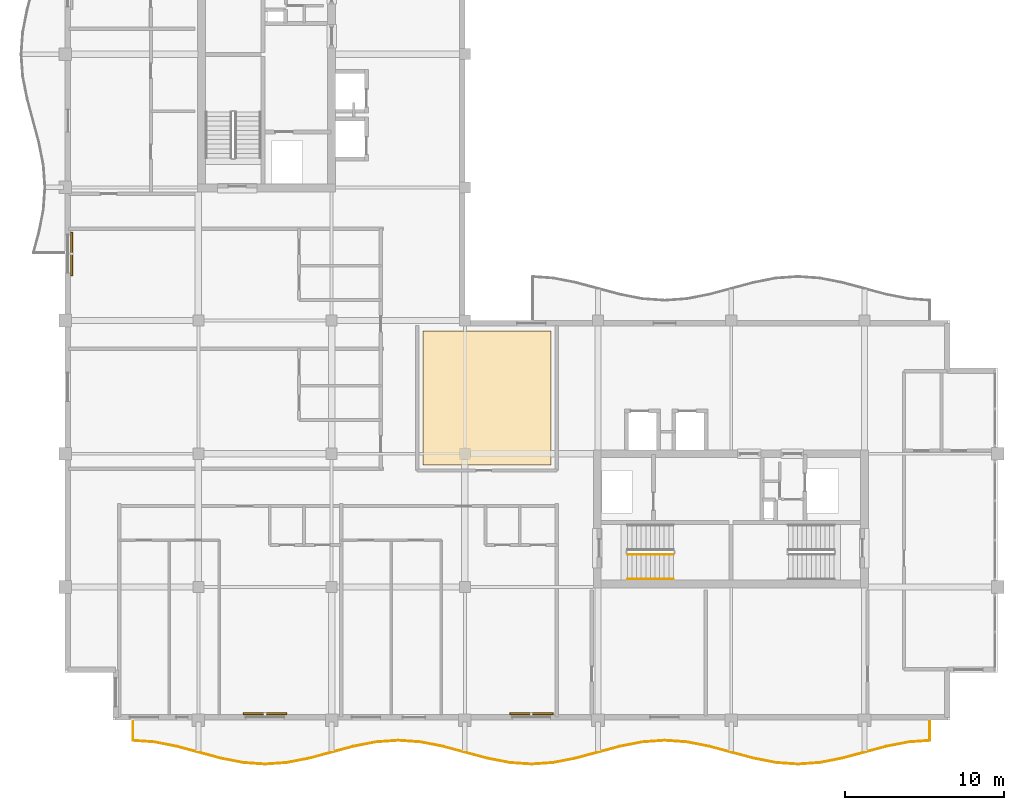
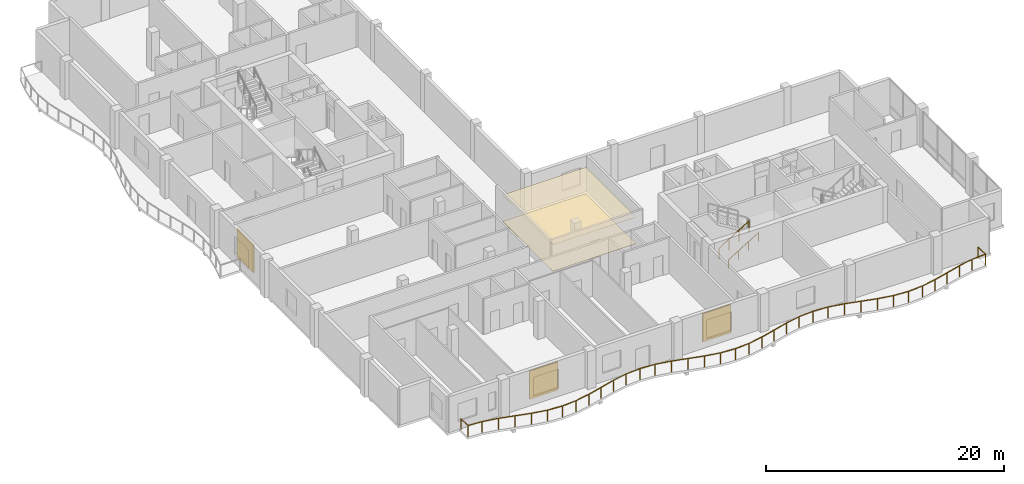
# One storey, part 13 of 15: 3 railings, 3 shading devices, 2 coverings.
"""IFC4 building model written with IfcOpenShell, lengths in metres."""

import ifcopenshell
import ifcopenshell.guid

model = None  # the IFC model being written
_history = None  # IfcOwnerHistory: only IFC2X3 demands one
_inside = {}  # id of a spatial element -> (the spatial element, [elements in it])
_under = {}  # id of a project, library or spatial element -> (it, [spatial elements below it])
_declared = {}  # id of a project -> (the project, [libraries it declares])
_typed = {}  # id of a type object -> (the type object, [elements of that type])
_made_of = {}  # id of a material, layer set ... -> (it, [elements and type objects made of it])


def new_model(schema):
    """Start an empty IFC model of exactly this schema.

    Asked for "IFC4X3", IfcOpenShell would pick the latest addendum, in which some entities
    have other attributes; the version numbers below select the first issue.
    IFC2X3 requires an IfcOwnerHistory on every rooted entity: one is made here for all.
    """
    global model, _history
    if schema == "IFC4X3":
        model = ifcopenshell.file(schema_version=(4, 3, 0, 0))
    else:
        model = ifcopenshell.file(schema=schema)
    _inside.clear()
    _under.clear()
    _declared.clear()
    _typed.clear()
    _made_of.clear()
    _history = None
    if model.schema == "IFC2X3":
        org = make("IfcOrganization", Name="unknown")
        user = make(
            "IfcPersonAndOrganization",
            ThePerson=make("IfcPerson", FamilyName="unknown"),
            TheOrganization=org,
        )
        app = make(
            "IfcApplication",
            ApplicationDeveloper=org,
            Version="unknown",
            ApplicationFullName="unknown",
            ApplicationIdentifier="unknown",
        )
        _history = make(
            "IfcOwnerHistory",
            OwningUser=user,
            OwningApplication=app,
            ChangeAction="ADDED",
            CreationDate=0,
        )
    return model


def make(cls, **values):
    """One entity of the class cls with the attributes given. An attribute that is None is left unset."""
    return model.create_entity(
        cls, **{name: value for name, value in values.items() if value is not None}
    )


def rooted(cls, **values):
    """An entity with a GlobalId (a new one), such as an element, a storey or a relation."""
    return make(cls, GlobalId=ifcopenshell.guid.new(), OwnerHistory=_history, **values)


def si_unit(unit_type, name, prefix=None):
    """IfcSIUnit, for example si_unit("LENGTHUNIT", "METRE", prefix="MILLI")."""
    return make("IfcSIUnit", UnitType=unit_type, Prefix=prefix, Name=name)


def assignment(units):
    """IfcUnitAssignment: the units of a project."""
    return None if units is None else make("IfcUnitAssignment", Units=units)


def point(xyz):
    """IfcCartesianPoint."""
    return None if xyz is None else make("IfcCartesianPoint", Coordinates=xyz)


def direction(xyz):
    """IfcDirection."""
    return None if xyz is None else make("IfcDirection", DirectionRatios=xyz)


def frame(location, z_axis=None, x_axis=None):
    """IfcAxis2Placement3D, a coordinate frame: its origin and axes. An axis left out is left unset."""
    return make(
        "IfcAxis2Placement3D",
        Location=point(location),
        Axis=direction(z_axis),
        RefDirection=direction(x_axis),
    )


def frame_2d(location, x_axis=None):
    """IfcAxis2Placement2D, a coordinate frame in the plane: its origin and x axis."""
    return make(
        "IfcAxis2Placement2D", Location=point(location), RefDirection=direction(x_axis)
    )


def origin():
    """The frame at (0, 0, 0) with its axes left unset."""
    return frame((0.0, 0.0, 0.0))


def origin_2d():
    """The frame at (0, 0) in the plane with its x axis left unset."""
    return frame_2d((0.0, 0.0))


def place(relative_to, where):
    """IfcLocalPlacement: puts the frame where relative to a parent placement (None: the world)."""
    return make(
        "IfcLocalPlacement", PlacementRelTo=relative_to, RelativePlacement=where
    )


def context(
    kind, dimensions, precision=None, world=None, true_north=None, identifier=None
):
    """IfcGeometricRepresentationContext, for example the 3D "Model" context."""
    return make(
        "IfcGeometricRepresentationContext",
        ContextIdentifier=identifier,
        ContextType=kind,
        CoordinateSpaceDimension=dimensions,
        Precision=precision,
        WorldCoordinateSystem=world,
        TrueNorth=true_north,
    )


def subcontext(parent, identifier, kind, view, scale=None):
    """IfcGeometricRepresentationSubContext, for example "Body" below "Model"."""
    return make(
        "IfcGeometricRepresentationSubContext",
        ContextIdentifier=identifier,
        ContextType=kind,
        ParentContext=parent,
        TargetScale=scale,
        TargetView=view,
    )


def project(units=None, contexts=None):
    """IfcProject with its units and contexts."""
    return rooted(
        "IfcProject",
        Name="project",
        RepresentationContexts=contexts,
        UnitsInContext=assignment(units),
    )


def spatial(cls, under=None, at=None, **own):
    """A site, building, storey or space (cls), placed at a placement, below another one or the project."""
    s = rooted(cls, ObjectPlacement=at, **own)
    if under is not None:
        _under.setdefault(under.id(), (under, []))[1].append(s)
    return s


def polyline(points):
    """IfcPolyline through the points."""
    return make("IfcPolyline", Points=[point(p) for p in points])


def profile(cls, at=None, kind="AREA", **sizes):
    """A parametric profile (cls). Its sizes go by their IFC names, for example OverallWidth=200.0."""
    return make(cls, ProfileType=kind, Position=at, **sizes)


def rectangle(**sizes):
    """IfcRectangleProfileDef."""
    return profile("IfcRectangleProfileDef", **sizes)


def circle(**sizes):
    """IfcCircleProfileDef."""
    return profile("IfcCircleProfileDef", **sizes)


def outline(outer, holes=None, kind="AREA"):
    """IfcArbitraryClosedProfileDef: a profile drawn as a closed curve; with holes, ...WithVoids."""
    if holes is None:
        return make("IfcArbitraryClosedProfileDef", ProfileType=kind, OuterCurve=outer)
    return make(
        "IfcArbitraryProfileDefWithVoids",
        ProfileType=kind,
        OuterCurve=outer,
        InnerCurves=holes,
    )


def extrude(swept, where, along, depth):
    """IfcExtrudedAreaSolid: the profile swept, set in the frame where, extruded along a direction by depth."""
    return make(
        "IfcExtrudedAreaSolid",
        SweptArea=swept,
        Position=where,
        ExtrudedDirection=direction(along),
        Depth=depth,
    )


def shape(context_of_items, identifier, shape_type, items):
    """IfcShapeRepresentation: the items that make up one representation, for example the "Body"."""
    return make(
        "IfcShapeRepresentation",
        ContextOfItems=context_of_items,
        RepresentationIdentifier=identifier,
        RepresentationType=shape_type,
        Items=items,
    )


def material(Name=None, Category=None):
    """IfcMaterial."""
    return make("IfcMaterial", Name=Name, Category=Category)


def layer(
    of_material, thickness, ventilated=None, Name=None, Category=None, Priority=None
):
    """IfcMaterialLayer: one layer of a wall or slab, of a material (None: an air gap)."""
    return make(
        "IfcMaterialLayer",
        Material=of_material,
        LayerThickness=thickness,
        IsVentilated=ventilated,
        Name=Name,
        Category=Category,
        Priority=Priority,
    )


def layer_set(layers, Name=None):
    """IfcMaterialLayerSet."""
    return make("IfcMaterialLayerSet", MaterialLayers=layers, LayerSetName=Name)


def made_of(thing, what):
    """Note that an element or type object is made of a material, layer set ...; save() writes the relation."""
    if what is not None:
        _made_of.setdefault(what.id(), (what, []))[1].append(thing)
    return thing


def type_object(cls, material=None, **own):
    """A type object (cls), such as IfcWallType, which elements share."""
    return made_of(rooted(cls, **own), material)


def element(
    cls,
    number,
    at=None,
    inside=None,
    cuts=None,
    type_object=None,
    material=None,
    context=None,
    identifier="Body",
    shape_type=None,
    held_by="IfcProductDefinitionShape",
    body=None,
    shapes=None,
    **own,
):
    """One element of the class cls, such as IfcWall. Its Tag is "e" and its number.

    at: its placement. inside: the storey or other place that contains it. cuts: it is an
    opening in that element (IfcRelVoidsElement). A single representation is given by context,
    identifier, shape_type and body (its items); several are given by shapes. held_by: the class
    of the entity that holds the representations. save() writes the other relations.
    """
    e = rooted(cls, Tag="e%d" % number, ObjectPlacement=at, **own)
    if body is not None:
        shapes = [shape(context, identifier, shape_type, body)]
    if shapes is not None:
        e.Representation = make(held_by, Representations=shapes)
    if inside is not None:
        _inside.setdefault(inside.id(), (inside, []))[1].append(e)
    if cuts is not None:
        rooted(
            "IfcRelVoidsElement", RelatingBuildingElement=cuts, RelatedOpeningElement=e
        )
    if type_object is not None:
        _typed.setdefault(type_object.id(), (type_object, []))[1].append(e)
    return made_of(e, material)


def aggregate(whole, parts):
    """IfcRelAggregates: a whole, such as a stair, and the parts it consists of."""
    return rooted("IfcRelAggregates", RelatingObject=whole, RelatedObjects=parts)


def save(model, path):
    """Write the relations noted so far, then the file.

    IfcRelAggregates (storeys below a building ...), IfcRelContainedInSpatialStructure (elements
    in a storey), IfcRelDefinesByType, IfcRelAssociatesMaterial and IfcRelDeclares: one each for
    every whole, place, type object, material and project.
    """
    for whole, parts in _under.values():
        aggregate(whole, parts)
    for where, things in _inside.values():
        rooted(
            "IfcRelContainedInSpatialStructure",
            RelatedElements=things,
            RelatingStructure=where,
        )
    for kind, things in _typed.values():
        rooted("IfcRelDefinesByType", RelatedObjects=things, RelatingType=kind)
    for what, things in _made_of.values():
        rooted("IfcRelAssociatesMaterial", RelatedObjects=things, RelatingMaterial=what)
    for by, libraries in _declared.values():
        rooted("IfcRelDeclares", RelatingContext=by, RelatedDefinitions=libraries)
    model.write(path)


model = new_model("IFC4")

# Units and contexts
model_context = context("Model", 3, precision=1e-05, world=origin(), true_north=direction((0.0, 1.0)))
body_context = subcontext(model_context, "Body", "Model", "MODEL_VIEW")
ifc_project = project(units=[si_unit("LENGTHUNIT", "METRE"), si_unit("AREAUNIT", "SQUARE_METRE"), si_unit("VOLUMEUNIT", "CUBIC_METRE"), si_unit("PLANEANGLEUNIT", "RADIAN"), si_unit("MASSUNIT", "GRAM", prefix="KILO")], contexts=[model_context])

# Site, building, storey
site_placement = place(None, origin())
site = spatial("IfcSite", under=ifc_project, at=site_placement, CompositionType="ELEMENT")
building_placement = place(site_placement, origin())
building = spatial("IfcBuilding", under=site, at=building_placement, Name="Koriwani Terraces Tower", CompositionType="ELEMENT")
storey_placement = place(building_placement, frame((0.0, 0.0, 324.199951171875)))
storey = spatial("IfcBuildingStorey", under=building, at=storey_placement, Name="L80", CompositionType="ELEMENT", Elevation=324.199951171875)

# Coverings
ifc_material_1 = material(Name="Fire-Rated Acoustic Gypsum Partition", Category="masonry")
ifc_layer_1 = layer(ifc_material_1, 0.02490234375, Name="Fire-Rated Acoustic Gypsum Partition")
ifc_layer_set_1 = layer_set([ifc_layer_1], Name="Fire-Rated Acoustic Gypsum Partition")
covering_type_1 = type_object("IfcCoveringType", Name="CEILING_ACOUSTIC_GYPSUM", PredefinedType="CEILING", material=ifc_layer_set_1)
covering_1_placement = place(storey_placement, frame((0.0, 0.0, 2.72509765625)))
element("IfcCovering", 1, at=covering_1_placement, inside=storey, type_object=covering_type_1, Name="L80 Suspended Acoustic Gypsum Ceiling", PredefinedType="CEILING", context=body_context, shape_type="SweptSolid", body=[
    extrude(outline(polyline([(30.949951171875, 24.5), (30.949951171875, 32.949951171875), (39.050048828125, 32.949951171875), (39.050048828125, 24.5), (30.949951171875, 24.5)])), origin(), (0.0, 0.0, 1.0), 0.02490234375),
])
ifc_material_2 = material(Name="Polished Andean Slate Flooring", Category="masonry")
ifc_layer_2 = layer(ifc_material_2, 0.030029296875, Name="Polished Andean Slate Flooring")
ifc_layer_set_2 = layer_set([ifc_layer_2], Name="Polished Andean Slate Flooring")
covering_type_2 = type_object("IfcCoveringType", Name="FLOORING_ANDEAN_STONE", PredefinedType="FLOORING", material=ifc_layer_set_2)
covering_2_placement = place(storey_placement, origin())
element("IfcCovering", 2, at=covering_2_placement, inside=storey, type_object=covering_type_2, Name="L80 Polished Andean Slate Floor Finish", PredefinedType="FLOORING", context=body_context, shape_type="SweptSolid", body=[
    extrude(outline(polyline([(30.949951171875, 24.5), (30.949951171875, 32.949951171875), (39.050048828125, 32.949951171875), (39.050048828125, 24.5), (30.949951171875, 24.5)])), origin(), (0.0, 0.0, 1.0), 0.030029296875),
])

# Railings
ifc_material_3 = material(Name="Steel ASTM A572 Grade 50", Category="steel")
railing_type_1 = type_object("IfcRailingType", Name="GUARD_BALUSTRADE_1150", PredefinedType="BALUSTRADE", material=ifc_material_3)
railing_1_placement = place(storey_placement, frame((12.679931640625, 8.320068359375, 0.0)))
element("IfcRailing", 3, at=railing_1_placement, inside=storey, type_object=railing_type_1, Name="L80 Balcony Perimeter Safety Balustrade (S)", PredefinedType="BALUSTRADE", context=body_context, shape_type="SweptSolid", body=[
    extrude(circle(Radius=0.02392578125, at=origin_2d()), frame((0.0, 0.0, 1.1259765625), z_axis=(0.0, -1.0, 0.0), x_axis=(1.0, 0.0, 0.0)), (0.0, 0.0, 1.0), 1.195556640625),
    extrude(circle(Radius=0.02392578125, at=origin_2d()), frame((0.0, -1.195556640625, 1.1259765625), z_axis=(0.997410163072, -0.071923338365, 0.0), x_axis=(0.071923338365, 0.997410163072, 0.0)), (0.0, 0.0, 1.0), 1.333984375),
    extrude(circle(Radius=0.02392578125, at=origin_2d()), frame((1.33056640625, -1.29150390625, 1.1259765625), z_axis=(0.981358469957, -0.192186246762, 0.0), x_axis=(0.192186246762, 0.981358469957, 0.0)), (0.0, 0.0, 1.0), 1.434326171875),
    extrude(circle(Radius=0.02392578125, at=origin_2d()), frame((2.738037109375, -1.567138671875, 1.1259765625), z_axis=(0.96594917914, -0.258731875344, 0.0), x_axis=(0.258731875344, 0.96594917914, 0.0)), (0.0, 0.0, 1.0), 2.898681640625),
    extrude(circle(Radius=0.02392578125, at=origin_2d()), frame((5.5380859375, -2.317138671875, 1.1259765625), z_axis=(0.981327760125, -0.192342993657, 0.0), x_axis=(0.192342993657, 0.981327760125, 0.0)), (0.0, 0.0, 1.0), 1.419189453125),
    extrude(circle(Radius=0.02392578125, at=origin_2d()), frame((6.9306640625, -2.590087890625, 1.1259765625), z_axis=(0.997427466293, -0.07168297904, 0.0), x_axis=(0.07168297904, 0.997427466293, 0.0)), (0.0, 0.0, 1.0), 1.39306640625),
    extrude(circle(Radius=0.02392578125, at=origin_2d()), frame((8.320068359375, -2.68994140625, 1.1259765625), z_axis=(0.997427466293, 0.07168297904, 0.0), x_axis=(-0.07168297904, 0.997427466293, 0.0)), (0.0, 0.0, 1.0), 1.39306640625),
    extrude(circle(Radius=0.02392578125, at=origin_2d()), frame((9.70947265625, -2.590087890625, 1.1259765625), z_axis=(0.981327760125, 0.192342993657, 0.0), x_axis=(-0.192342993657, 0.981327760125, 0.0)), (0.0, 0.0, 1.0), 1.419189453125),
    extrude(circle(Radius=0.02392578125, at=origin_2d()), frame((11.10205078125, -2.317138671875, 1.1259765625), z_axis=(0.96594917914, 0.258731875344, 0.0), x_axis=(-0.258731875344, 0.96594917914, 0.0)), (0.0, 0.0, 1.0), 2.898681640625),
    extrude(circle(Radius=0.02392578125, at=origin_2d()), frame((13.902099609375, -1.567138671875, 1.1259765625), z_axis=(0.981358469957, 0.192186246762, 0.0), x_axis=(-0.192186246762, 0.981358469957, 0.0)), (0.0, 0.0, 1.0), 1.434326171875),
    extrude(circle(Radius=0.02392578125, at=origin_2d()), frame((15.3095703125, -1.29150390625, 1.1259765625), z_axis=(0.997429695692, 0.071651951482, 0.0), x_axis=(-0.071651951482, 0.997429695692, 0.0)), (0.0, 0.0, 1.0), 1.4140625),
    extrude(circle(Radius=0.02392578125, at=origin_2d()), frame((16.719970703125, -1.190185546875, 1.1259765625), z_axis=(0.997430581876, -0.071639614309, 0.0), x_axis=(0.071639614309, 0.997430581876, 0.0)), (0.0, 0.0, 1.0), 1.414306640625),
    extrude(circle(Radius=0.02392578125, at=origin_2d()), frame((18.130615234375, -1.29150390625, 1.1259765625), z_axis=(0.981358469957, -0.192186246762, 0.0), x_axis=(0.192186246762, 0.981358469957, 0.0)), (0.0, 0.0, 1.0), 1.434326171875),
    extrude(circle(Radius=0.02392578125, at=origin_2d()), frame((19.5380859375, -1.567138671875, 1.1259765625), z_axis=(0.96594917914, -0.258731875344, 0.0), x_axis=(0.258731875344, 0.96594917914, 0.0)), (0.0, 0.0, 1.0), 2.898681640625),
    extrude(circle(Radius=0.02392578125, at=origin_2d()), frame((22.338134765625, -2.317138671875, 1.1259765625), z_axis=(0.981327760125, -0.192342993657, 0.0), x_axis=(0.192342993657, 0.981327760125, 0.0)), (0.0, 0.0, 1.0), 1.419189453125),
    extrude(circle(Radius=0.02392578125, at=origin_2d()), frame((23.730712890625, -2.590087890625, 1.1259765625), z_axis=(0.997427466293, -0.07168297904, 0.0), x_axis=(0.07168297904, 0.997427466293, 0.0)), (0.0, 0.0, 1.0), 1.39306640625),
    extrude(circle(Radius=0.02392578125, at=origin_2d()), frame((25.1201171875, -2.68994140625, 1.1259765625), z_axis=(0.997427466293, 0.07168297904, 0.0), x_axis=(-0.07168297904, 0.997427466293, 0.0)), (0.0, 0.0, 1.0), 1.39306640625),
    extrude(circle(Radius=0.02392578125, at=origin_2d()), frame((26.509521484375, -2.590087890625, 1.1259765625), z_axis=(0.981321393675, 0.19237547223, 0.0), x_axis=(-0.19237547223, 0.981321393675, 0.0)), (0.0, 0.0, 1.0), 1.4189453125),
    extrude(circle(Radius=0.02392578125, at=origin_2d()), frame((27.90185546875, -2.317138671875, 1.1259765625), z_axis=(0.965954816498, 0.258710827923, 0.0), x_axis=(-0.258710827923, 0.965954816498, 0.0)), (0.0, 0.0, 1.0), 2.89892578125),
    extrude(circle(Radius=0.02392578125, at=origin_2d()), frame((30.7021484375, -1.567138671875, 1.1259765625), z_axis=(0.981352180954, 0.192218357442, 0.0), x_axis=(-0.192218357442, 0.981352180954, 0.0)), (0.0, 0.0, 1.0), 1.43408203125),
    extrude(circle(Radius=0.02392578125, at=origin_2d()), frame((32.109375, -1.29150390625, 1.1259765625), z_axis=(0.997430581876, 0.071639614309, 0.0), x_axis=(-0.071639614309, 0.997430581876, 0.0)), (0.0, 0.0, 1.0), 1.414306640625),
    extrude(circle(Radius=0.02392578125, at=origin_2d()), frame((33.52001953125, -1.190185546875, 1.1259765625), z_axis=(0.997430581876, -0.071639614309, 0.0), x_axis=(0.071639614309, 0.997430581876, 0.0)), (0.0, 0.0, 1.0), 1.414306640625),
    extrude(circle(Radius=0.02392578125, at=origin_2d()), frame((34.9306640625, -1.29150390625, 1.1259765625), z_axis=(0.981358469957, -0.192186246762, 0.0), x_axis=(0.192186246762, 0.981358469957, 0.0)), (0.0, 0.0, 1.0), 1.434326171875),
    extrude(circle(Radius=0.02392578125, at=origin_2d()), frame((36.338134765625, -1.567138671875, 1.1259765625), z_axis=(0.96594917914, -0.258731875344, 0.0), x_axis=(0.258731875344, 0.96594917914, 0.0)), (0.0, 0.0, 1.0), 2.898681640625),
    extrude(circle(Radius=0.02392578125, at=origin_2d()), frame((39.13818359375, -2.317138671875, 1.1259765625), z_axis=(0.981327760125, -0.192342993657, 0.0), x_axis=(0.192342993657, 0.981327760125, 0.0)), (0.0, 0.0, 1.0), 1.419189453125),
    extrude(circle(Radius=0.02392578125, at=origin_2d()), frame((40.53076171875, -2.590087890625, 1.1259765625), z_axis=(0.997427466293, -0.07168297904, 0.0), x_axis=(0.07168297904, 0.997427466293, 0.0)), (0.0, 0.0, 1.0), 1.39306640625),
    extrude(circle(Radius=0.02392578125, at=origin_2d()), frame((41.920166015625, -2.68994140625, 1.1259765625), z_axis=(0.997427466293, 0.07168297904, 0.0), x_axis=(-0.07168297904, 0.997427466293, 0.0)), (0.0, 0.0, 1.0), 1.39306640625),
    extrude(circle(Radius=0.02392578125, at=origin_2d()), frame((43.3095703125, -2.590087890625, 1.1259765625), z_axis=(0.981321393675, 0.19237547223, 0.0), x_axis=(-0.19237547223, 0.981321393675, 0.0)), (0.0, 0.0, 1.0), 1.4189453125),
    extrude(circle(Radius=0.02392578125, at=origin_2d()), frame((44.701904296875, -2.317138671875, 1.1259765625), z_axis=(0.96594917914, 0.258731875344, 0.0), x_axis=(-0.258731875344, 0.96594917914, 0.0)), (0.0, 0.0, 1.0), 2.898681640625),
    extrude(circle(Radius=0.02392578125, at=origin_2d()), frame((47.501953125, -1.567138671875, 1.1259765625), z_axis=(0.981358469957, 0.192186246762, 0.0), x_axis=(-0.192186246762, 0.981358469957, 0.0)), (0.0, 0.0, 1.0), 1.434326171875),
    extrude(circle(Radius=0.02392578125, at=origin_2d()), frame((48.909423828125, -1.29150390625, 1.1259765625), z_axis=(0.997410163072, 0.071923338365, 0.0), x_axis=(-0.071923338365, 0.997410163072, 0.0)), (0.0, 0.0, 1.0), 1.333984375),
    extrude(circle(Radius=0.02392578125, at=origin_2d()), frame((50.239990234375, -1.195556640625, 1.1259765625), z_axis=(0.0, 1.0, 0.0), x_axis=(-1.0, 0.0, 0.0)), (0.0, 0.0, 1.0), 1.195556640625),
    extrude(circle(Radius=0.02099609375, at=origin_2d()), origin(), (0.0, 0.0, 1.0), 1.101806640625),
    extrude(circle(Radius=0.02099609375, at=origin_2d()), frame((0.0, -1.195556640625, 0.0)), (0.0, 0.0, 1.0), 1.101806640625),
    extrude(circle(Radius=0.02099609375, at=origin_2d()), frame((1.33056640625, -1.29150390625, 0.0)), (0.0, 0.0, 1.0), 1.101806640625),
    extrude(circle(Radius=0.02099609375, at=origin_2d()), frame((2.738037109375, -1.567138671875, 0.0)), (0.0, 0.0, 1.0), 1.101806640625),
    extrude(circle(Radius=0.02099609375, at=origin_2d()), frame((4.13818359375, -1.942138671875, 0.0)), (0.0, 0.0, 1.0), 1.101806640625),
    extrude(circle(Radius=0.02099609375, at=origin_2d()), frame((5.5380859375, -2.317138671875, 0.0)), (0.0, 0.0, 1.0), 1.101806640625),
    extrude(circle(Radius=0.02099609375, at=origin_2d()), frame((6.9306640625, -2.590087890625, 0.0)), (0.0, 0.0, 1.0), 1.101806640625),
    extrude(circle(Radius=0.02099609375, at=origin_2d()), frame((8.320068359375, -2.68994140625, 0.0)), (0.0, 0.0, 1.0), 1.101806640625),
    extrude(circle(Radius=0.02099609375, at=origin_2d()), frame((9.70947265625, -2.590087890625, 0.0)), (0.0, 0.0, 1.0), 1.101806640625),
    extrude(circle(Radius=0.02099609375, at=origin_2d()), frame((11.10205078125, -2.317138671875, 0.0)), (0.0, 0.0, 1.0), 1.101806640625),
    extrude(circle(Radius=0.02099609375, at=origin_2d()), frame((12.501953125, -1.942138671875, 0.0)), (0.0, 0.0, 1.0), 1.101806640625),
    extrude(circle(Radius=0.02099609375, at=origin_2d()), frame((13.902099609375, -1.567138671875, 0.0)), (0.0, 0.0, 1.0), 1.101806640625),
    extrude(circle(Radius=0.02099609375, at=origin_2d()), frame((15.3095703125, -1.29150390625, 0.0)), (0.0, 0.0, 1.0), 1.101806640625),
    extrude(circle(Radius=0.02099609375, at=origin_2d()), frame((16.719970703125, -1.190185546875, 0.0)), (0.0, 0.0, 1.0), 1.101806640625),
    extrude(circle(Radius=0.02099609375, at=origin_2d()), frame((18.130615234375, -1.29150390625, 0.0)), (0.0, 0.0, 1.0), 1.101806640625),
    extrude(circle(Radius=0.02099609375, at=origin_2d()), frame((19.5380859375, -1.567138671875, 0.0)), (0.0, 0.0, 1.0), 1.101806640625),
    extrude(circle(Radius=0.02099609375, at=origin_2d()), frame((20.93798828125, -1.942138671875, 0.0)), (0.0, 0.0, 1.0), 1.101806640625),
    extrude(circle(Radius=0.02099609375, at=origin_2d()), frame((22.338134765625, -2.317138671875, 0.0)), (0.0, 0.0, 1.0), 1.101806640625),
    extrude(circle(Radius=0.02099609375, at=origin_2d()), frame((23.730712890625, -2.590087890625, 0.0)), (0.0, 0.0, 1.0), 1.101806640625),
    extrude(circle(Radius=0.02099609375, at=origin_2d()), frame((25.1201171875, -2.68994140625, 0.0)), (0.0, 0.0, 1.0), 1.101806640625),
    extrude(circle(Radius=0.02099609375, at=origin_2d()), frame((26.509521484375, -2.590087890625, 0.0)), (0.0, 0.0, 1.0), 1.101806640625),
    extrude(circle(Radius=0.02099609375, at=origin_2d()), frame((27.90185546875, -2.317138671875, 0.0)), (0.0, 0.0, 1.0), 1.101806640625),
    extrude(circle(Radius=0.02099609375, at=origin_2d()), frame((29.302001953125, -1.942138671875, 0.0)), (0.0, 0.0, 1.0), 1.101806640625),
    extrude(circle(Radius=0.02099609375, at=origin_2d()), frame((30.7021484375, -1.567138671875, 0.0)), (0.0, 0.0, 1.0), 1.101806640625),
    extrude(circle(Radius=0.02099609375, at=origin_2d()), frame((32.109375, -1.29150390625, 0.0)), (0.0, 0.0, 1.0), 1.101806640625),
    extrude(circle(Radius=0.02099609375, at=origin_2d()), frame((33.52001953125, -1.190185546875, 0.0)), (0.0, 0.0, 1.0), 1.101806640625),
    extrude(circle(Radius=0.02099609375, at=origin_2d()), frame((34.9306640625, -1.29150390625, 0.0)), (0.0, 0.0, 1.0), 1.101806640625),
    extrude(circle(Radius=0.02099609375, at=origin_2d()), frame((36.338134765625, -1.567138671875, 0.0)), (0.0, 0.0, 1.0), 1.101806640625),
    extrude(circle(Radius=0.02099609375, at=origin_2d()), frame((37.73828125, -1.942138671875, 0.0)), (0.0, 0.0, 1.0), 1.101806640625),
    extrude(circle(Radius=0.02099609375, at=origin_2d()), frame((39.13818359375, -2.317138671875, 0.0)), (0.0, 0.0, 1.0), 1.101806640625),
    extrude(circle(Radius=0.02099609375, at=origin_2d()), frame((40.53076171875, -2.590087890625, 0.0)), (0.0, 0.0, 1.0), 1.101806640625),
    extrude(circle(Radius=0.02099609375, at=origin_2d()), frame((41.920166015625, -2.68994140625, 0.0)), (0.0, 0.0, 1.0), 1.101806640625),
    extrude(circle(Radius=0.02099609375, at=origin_2d()), frame((43.3095703125, -2.590087890625, 0.0)), (0.0, 0.0, 1.0), 1.101806640625),
    extrude(circle(Radius=0.02099609375, at=origin_2d()), frame((44.701904296875, -2.317138671875, 0.0)), (0.0, 0.0, 1.0), 1.101806640625),
    extrude(circle(Radius=0.02099609375, at=origin_2d()), frame((46.10205078125, -1.942138671875, 0.0)), (0.0, 0.0, 1.0), 1.101806640625),
    extrude(circle(Radius=0.02099609375, at=origin_2d()), frame((47.501953125, -1.567138671875, 0.0)), (0.0, 0.0, 1.0), 1.101806640625),
    extrude(circle(Radius=0.02099609375, at=origin_2d()), frame((48.909423828125, -1.29150390625, 0.0)), (0.0, 0.0, 1.0), 1.101806640625),
    extrude(circle(Radius=0.02099609375, at=origin_2d()), frame((50.239990234375, -1.195556640625, 0.0)), (0.0, 0.0, 1.0), 1.101806640625),
    extrude(circle(Radius=0.02099609375, at=origin_2d()), frame((50.239990234375, 0.0, 0.0)), (0.0, 0.0, 1.0), 1.101806640625),
])
railing_type_2 = type_object("IfcRailingType", Name="GUARD_STAIR_WELL_1120", PredefinedType="GUARDRAIL", material=ifc_material_3)
railing_2_placement = place(storey_placement, frame((43.85009765625, 18.85009765625, 0.17724609375)))
element("IfcRailing", 4, at=railing_2_placement, inside=storey, type_object=railing_type_2, Name="L80 ST-E1 stair guard 1", PredefinedType="GUARDRAIL", context=body_context, shape_type="SweptSolid", body=[
    extrude(circle(Radius=0.02392578125, at=origin_2d()), frame((0.0, 0.0, 1.1259765625), z_axis=(0.853210801645, 0.0, 0.521566225858), x_axis=(0.0, 1.0, 0.0)), (0.0, 0.0, 1.0), 3.39892578125),
    extrude(circle(Radius=0.02099609375, at=origin_2d()), origin(), (0.0, 0.0, 1.0), 1.101806640625),
    extrude(circle(Radius=0.02099609375, at=origin_2d()), frame((0.966552734375, 0.0, 0.5908203125)), (0.0, 0.0, 1.0), 1.101806640625),
    extrude(circle(Radius=0.02099609375, at=origin_2d()), frame((1.933349609375, 0.0, 1.181884765625)), (0.0, 0.0, 1.0), 1.101806640625),
    extrude(circle(Radius=0.02099609375, at=origin_2d()), frame((2.89990234375, 0.0, 1.772705078125)), (0.0, 0.0, 1.0), 1.101806640625),
])
railing_type_3 = type_object("IfcRailingType", Name="HANDRAIL_STAIR_920", PredefinedType="HANDRAIL", material=ifc_material_3)
railing_3_placement = place(storey_placement, frame((43.85009765625, 17.300048828125, 0.17724609375)))
element("IfcRailing", 5, at=railing_3_placement, inside=storey, type_object=railing_type_3, Name="L80 ST-E1 stair handrail 1", PredefinedType="HANDRAIL", context=body_context, shape_type="SweptSolid", body=[
    extrude(circle(Radius=0.02392578125, at=origin_2d()), frame((0.0, 0.0, 0.8759765625), z_axis=(0.853210801645, 0.0, 0.521566225858), x_axis=(0.0, 1.0, 0.0)), (0.0, 0.0, 1.0), 3.39892578125),
    extrude(circle(Radius=0.02099609375, at=origin_2d()), origin(), (0.0, 0.0, 1.0), 0.851806640625),
    extrude(circle(Radius=0.02099609375, at=origin_2d()), frame((0.966552734375, 0.0, 0.5908203125)), (0.0, 0.0, 1.0), 0.851806640625),
    extrude(circle(Radius=0.02099609375, at=origin_2d()), frame((1.933349609375, 0.0, 1.181884765625)), (0.0, 0.0, 1.0), 0.851806640625),
    extrude(circle(Radius=0.02099609375, at=origin_2d()), frame((2.89990234375, 0.0, 1.772705078125)), (0.0, 0.0, 1.0), 0.851806640625),
])

# Shading devices
ifc_material_4 = material(Name="Extruded Terracotta Clay", Category="masonry")
ifc_layer_3 = layer(ifc_material_4, 0.1201171875, Name="Extruded Terracotta Clay")
ifc_layer_set_3 = layer_set([ifc_layer_3], Name="Extruded Terracotta Clay")
shading_device_type = type_object("IfcShadingDeviceType", Name="TERRACOTTA_BAGUETTE_SCREEN_2800", PredefinedType="USERDEFINED", material=ifc_layer_set_3)
for number, where, z_axis, x_axis, name in (
    (6, (8.804931640625, 37.800048828125, 0.385009765625), (0.0, 0.0, 1.0), (0.0, 1.0, 0.0), "L80 Extruded Terracotta Baguette Screen (W-9)"),
    (7, (21.0, 8.804931640625, 0.385009765625), (0.0, 0.0, 1.0), (-1.0, 0.0, 0.0), "L80 Extruded Terracotta Baguette Screen (S-3)"),
    (8, (37.800048828125, 8.804931640625, 0.385009765625), (0.0, 0.0, 1.0), (-1.0, 0.0, 0.0), "L80 Extruded Terracotta Baguette Screen (S-9)"),
):
    element("IfcShadingDevice", number, at=place(storey_placement, frame(where, z_axis=z_axis, x_axis=x_axis)), inside=storey, type_object=shading_device_type, Name=name, ObjectType="BAGUETTE", PredefinedType="USERDEFINED", context=body_context, shape_type="SweptSolid", body=[
        extrude(rectangle(XDim=2.760009765625, YDim=0.1201171875, at=origin_2d()), origin(), (0.0, 0.0, 1.0), 2.89990234375),
    ])

save(model, "model.ifc")
